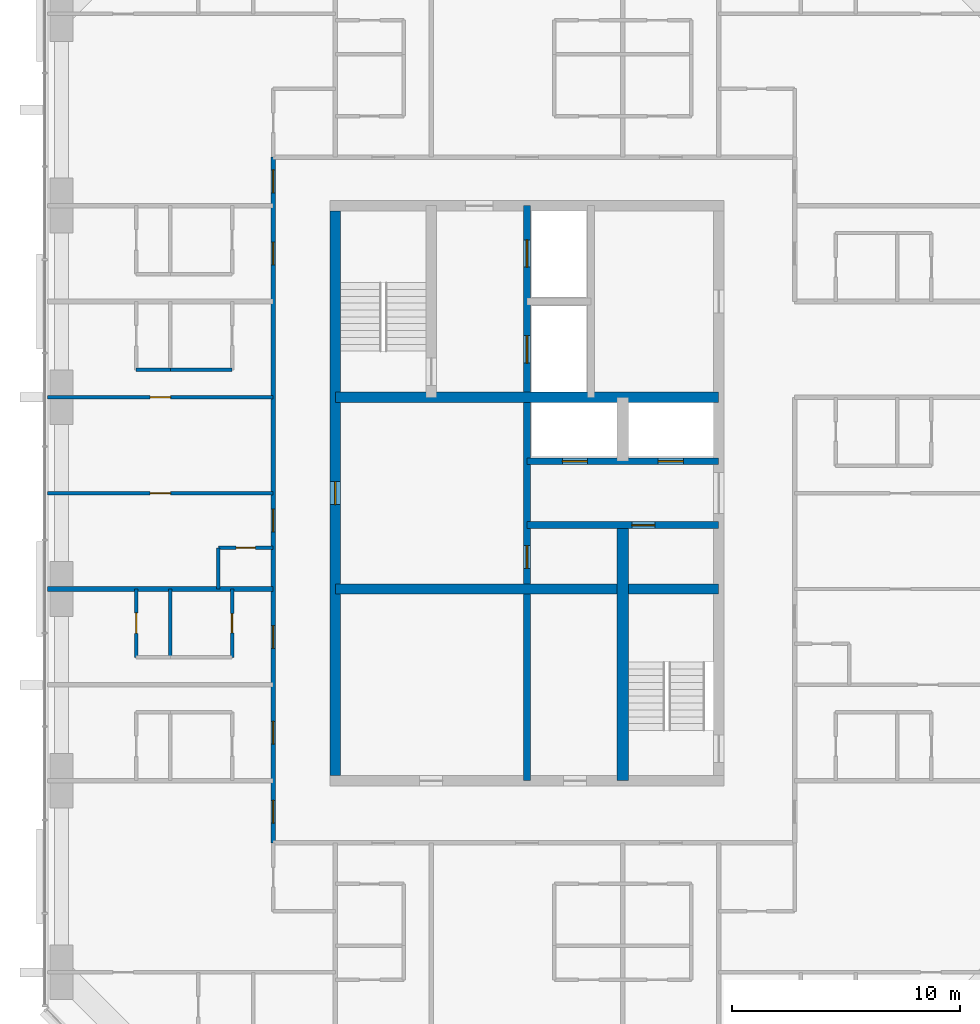
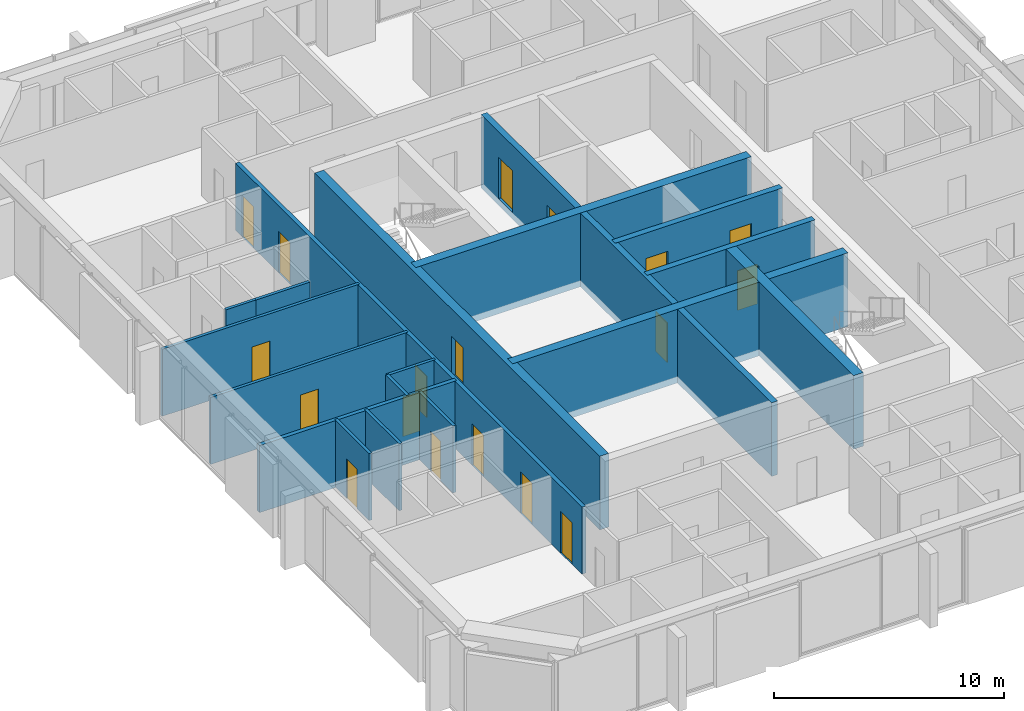
# One storey, part 8 of 12: 18 doors, 18 walls, 18 openings.
"""IFC4 building model written with IfcOpenShell, lengths in metres."""

from ifc_helpers import new_model, si_unit, direction, frame, frame_2d, origin, place, context, subcontext, project, spatial, rectangle, extrude, material, layer, layer_set, type_object, element, fill, save


model = new_model("IFC4")

# Units and contexts
model_context = context("Model", 3, precision=1e-05, world=origin(), true_north=direction((0.0, 1.0)))
body_context = subcontext(model_context, "Body", "Model", "MODEL_VIEW")
ifc_project = project(units=[si_unit("LENGTHUNIT", "METRE"), si_unit("AREAUNIT", "SQUARE_METRE"), si_unit("VOLUMEUNIT", "CUBIC_METRE"), si_unit("PLANEANGLEUNIT", "RADIAN"), si_unit("MASSUNIT", "GRAM", prefix="KILO")], contexts=[model_context])

# Site, building, storey
site_placement = place(None, origin())
site = spatial("IfcSite", under=ifc_project, at=site_placement, CompositionType="ELEMENT")
building_placement = place(site_placement, origin())
building = spatial("IfcBuilding", under=site, at=building_placement, Name="Dunama Terrace Hotel", CompositionType="ELEMENT")
storey_placement = place(building_placement, frame((0.0, 0.0, 272.39990234375)))
storey = spatial("IfcBuildingStorey", under=building, at=storey_placement, Name="L70", CompositionType="ELEMENT", Elevation=272.39990234375)

# Wall
ifc_material_1 = material(Name="Gypsum board partition", Category="masonry")
ifc_layer_1 = layer(ifc_material_1, 0.14990234375)
ifc_layer_set_1 = layer_set([ifc_layer_1], Name="Bathroom partition 150")
wall_type_1 = type_object("IfcWallType", Name="Bathroom partition 150", PredefinedType="PARTITIONING", material=ifc_layer_set_1)
wall_1_placement = place(storey_placement, frame((20.074951171875, 25.199951171875, 0.0), z_axis=(0.0, 0.0, 1.0), x_axis=(0.0, 1.0, 0.0)))
element("IfcWall", 1, at=wall_1_placement, inside=storey, type_object=wall_type_1, Name="Bathroom partition 150 L70", PredefinedType="PARTITIONING", context=body_context, shape_type="SweptSolid", body=[
    extrude(rectangle(XDim=1.800048828125, YDim=0.14990234375, at=frame_2d((0.89990234375, 0.0))), origin(), (0.0, 0.0, 1.0), 3.550048828125),
])

# Wall, opening, door
wall_2_placement = place(storey_placement, frame((20.675048828125, 22.199951171875, 0.0), z_axis=(0.0, 0.0, 1.0), x_axis=(0.0, 1.0, 0.0)))
wall_2 = element("IfcWall", 2, at=wall_2_placement, inside=storey, type_object=wall_type_1, Name="Bathroom partition 150 L70", PredefinedType="PARTITIONING", context=body_context, shape_type="SweptSolid", body=[
    extrude(rectangle(XDim=3.0, YDim=0.14990234375, at=frame_2d((1.5, 0.0))), origin(), (0.0, 0.0, 1.0), 3.550048828125),
])
opening_1_placement = place(wall_2_placement, frame((1.074951171875, 0.0, 0.0)))
opening_1 = element("IfcOpeningElement", 3, at=opening_1_placement, cuts=wall_2, Name="Opening L68-70-041", PredefinedType="OPENING", context=body_context, shape_type="SweptSolid", body=[
    extrude(rectangle(XDim=0.85009765625, YDim=2.10009765625, at=frame_2d((0.425048828125, 1.050048828125))), frame((0.0, 0.0849609375, 0.0), z_axis=(0.0, -1.0, 0.0), x_axis=(1.0, 0.0, 0.0)), (0.0, 0.0, 1.0), 0.169921875),
])
ifc_material_2 = material(Name="Timber door with steel frame", Category="steel")
door_type_1 = type_object("IfcDoorType", Name="Bathroom door 850", OperationType="SINGLE_SWING_LEFT", PredefinedType="DOOR", material=ifc_material_2)
door_1_placement = place(opening_1_placement, origin())
door_1 = element("IfcDoor", 4, at=door_1_placement, inside=storey, type_object=door_type_1, Name="Door to en-suite bathroom L68-70-041, type D2", OperationType="SINGLE_SWING_RIGHT", OverallHeight=2.10009765625, OverallWidth=0.85009765625, PredefinedType="DOOR", context=body_context, shape_type="SweptSolid", body=[
    extrude(rectangle(XDim=0.85009765625, YDim=2.10009765625, at=frame_2d((0.425048828125, 1.050048828125))), frame((0.0, 0.02490234375, 0.0), z_axis=(0.0, -1.0, 0.0), x_axis=(1.0, 0.0, 0.0)), (0.0, 0.0, 1.0), 0.050048828125),
])
fill(opening_1, door_1)

wall_3_placement = place(storey_placement, frame((20.074951171875, 27.0, 0.0), z_axis=(0.0, 0.0, 1.0), x_axis=(1.0, 0.0, 0.0)))
wall_3 = element("IfcWall", 5, at=wall_3_placement, inside=storey, type_object=wall_type_1, Name="Bathroom partition 150 L70", PredefinedType="PARTITIONING", context=body_context, shape_type="SweptSolid", body=[
    extrude(rectangle(XDim=2.400146484375, YDim=0.14990234375, at=frame_2d((1.2001953125, 0.0))), origin(), (0.0, 0.0, 1.0), 3.550048828125),
])
opening_2_placement = place(wall_3_placement, frame((0.77490234375, 0.0, 0.0)))
opening_2 = element("IfcOpeningElement", 6, at=opening_2_placement, cuts=wall_3, Name="Opening L68-70-044", PredefinedType="OPENING", context=body_context, shape_type="SweptSolid", body=[
    extrude(rectangle(XDim=0.85009765625, YDim=2.10009765625, at=frame_2d((0.425048828125, 1.050048828125))), frame((0.0, 0.0849609375, 0.0), z_axis=(0.0, -1.0, 0.0), x_axis=(1.0, 0.0, 0.0)), (0.0, 0.0, 1.0), 0.169921875),
])
door_2_placement = place(opening_2_placement, frame((0.85009765625, 0.0, 0.0), z_axis=(0.0, 0.0, 1.0), x_axis=(-1.0, 0.0, 0.0)))
door_2 = element("IfcDoor", 7, at=door_2_placement, inside=storey, type_object=door_type_1, Name="Door to powder room L68-70-044, type D2", OperationType="SINGLE_SWING_LEFT", OverallHeight=2.10009765625, OverallWidth=0.85009765625, PredefinedType="DOOR", context=body_context, shape_type="SweptSolid", body=[
    extrude(rectangle(XDim=0.85009765625, YDim=2.10009765625, at=frame_2d((0.425048828125, 1.050048828125))), frame((0.0, 0.025146484375, 0.0), z_axis=(0.0, -1.0, 0.0), x_axis=(1.0, 0.0, 0.0)), (0.0, 0.0, 1.0), 0.050048828125),
])
fill(opening_2, door_2)

# Wall
wall_4_placement = place(storey_placement, frame((17.97509765625, 34.800048828125, 0.0), z_axis=(0.0, 0.0, 1.0), x_axis=(1.0, 0.0, 0.0)))
element("IfcWall", 8, at=wall_4_placement, inside=storey, type_object=wall_type_1, Name="Bathroom partition 150 L70", PredefinedType="PARTITIONING", context=body_context, shape_type="SweptSolid", body=[
    extrude(rectangle(XDim=2.699951171875, YDim=0.14990234375, at=frame_2d((1.35009765625, 0.0))), origin(), (0.0, 0.0, 1.0), 3.550048828125),
])

# Wall, openings, doors
ifc_material_3 = material(Name="Concrete C50/60", Category="concrete")
ifc_layer_2 = layer(ifc_material_3, 0.300048828125)
ifc_layer_set_2 = layer_set([ifc_layer_2], Name="Core inner wall 300")
wall_type_2 = type_object("IfcWallType", Name="Core inner wall 300", PredefinedType="SHEAR", material=ifc_layer_set_2)
wall_5_placement = place(storey_placement, frame((33.60009765625, 16.800048828125, -0.349853515625), z_axis=(0.0, 0.0, 1.0), x_axis=(0.0, 1.0, 0.0)))
wall_5 = element("IfcWall", 9, at=wall_5_placement, inside=storey, type_object=wall_type_2, Name="Core inner wall 300 L70", PredefinedType="SHEAR", context=body_context, shape_type="SweptSolid", body=[
    extrude(rectangle(XDim=25.199951171875, YDim=0.300048828125, at=frame_2d((12.60009765625, 0.0))), origin(), (0.0, 0.0, 1.0), 3.89990234375),
])
opening_3_placement = place(wall_5_placement, frame((22.5, 0.0, 0.35009765625)))
opening_3 = element("IfcOpeningElement", 10, at=opening_3_placement, cuts=wall_5, Name="Opening L68-70-005", PredefinedType="OPENING", context=body_context, shape_type="SweptSolid", body=[
    extrude(rectangle(XDim=1.199951171875, YDim=2.199951171875, at=frame_2d((0.60009765625, 1.10009765625))), frame((0.0, 0.159912109375, 0.0), z_axis=(0.0, -1.0, 0.0), x_axis=(1.0, 0.0, 0.0)), (0.0, 0.0, 1.0), 0.320068359375),
])
opening_4_placement = place(wall_5_placement, frame((18.300048828125, 0.0, 0.35009765625)))
opening_4 = element("IfcOpeningElement", 11, at=opening_4_placement, cuts=wall_5, Name="Opening L68-70-006", PredefinedType="OPENING", context=body_context, shape_type="SweptSolid", body=[
    extrude(rectangle(XDim=1.199951171875, YDim=2.199951171875, at=frame_2d((0.60009765625, 1.10009765625))), frame((0.0, 0.159912109375, 0.0), z_axis=(0.0, -1.0, 0.0), x_axis=(1.0, 0.0, 0.0)), (0.0, 0.0, 1.0), 0.320068359375),
])
opening_5_placement = place(wall_5_placement, frame((9.300048828125, 0.0, 0.35009765625)))
opening_5 = element("IfcOpeningElement", 12, at=opening_5_placement, cuts=wall_5, Name="Opening L68-70-073", PredefinedType="OPENING", context=body_context, shape_type="SweptSolid", body=[
    extrude(rectangle(XDim=1.0, YDim=2.10009765625, at=frame_2d((0.5, 1.050048828125))), frame((0.0, 0.159912109375, 0.0), z_axis=(0.0, -1.0, 0.0), x_axis=(1.0, 0.0, 0.0)), (0.0, 0.0, 1.0), 0.320068359375),
])
ifc_material_4 = material(Name="Stainless steel lift door", Category="steel")
door_type_2 = type_object("IfcDoorType", Name="Firefighting lift landing door 1200", OperationType="DOUBLE_DOOR_SLIDING", PredefinedType="DOOR", material=ifc_material_4)
door_3_placement = place(opening_3_placement, origin())
door_3 = element("IfcDoor", 13, at=door_3_placement, inside=storey, type_object=door_type_2, Name="Landing door FL1 L68-70-005, type LD2", OperationType="DOUBLE_DOOR_SLIDING", OverallHeight=2.199951171875, OverallWidth=1.199951171875, PredefinedType="DOOR", context=body_context, shape_type="SweptSolid", body=[
    extrude(rectangle(XDim=1.199951171875, YDim=2.199951171875, at=frame_2d((0.60009765625, 1.10009765625))), frame((0.0, 0.02490234375, 0.0), z_axis=(0.0, -1.0, 0.0), x_axis=(1.0, 0.0, 0.0)), (0.0, 0.0, 1.0), 0.050048828125),
])
fill(opening_3, door_3)
door_4_placement = place(opening_4_placement, origin())
door_4 = element("IfcDoor", 14, at=door_4_placement, inside=storey, type_object=door_type_2, Name="Landing door FL2 L68-70-006, type LD2", OperationType="DOUBLE_DOOR_SLIDING", OverallHeight=2.199951171875, OverallWidth=1.199951171875, PredefinedType="DOOR", context=body_context, shape_type="SweptSolid", body=[
    extrude(rectangle(XDim=1.199951171875, YDim=2.199951171875, at=frame_2d((0.60009765625, 1.10009765625))), frame((0.0, 0.02490234375, 0.0), z_axis=(0.0, -1.0, 0.0), x_axis=(1.0, 0.0, 0.0)), (0.0, 0.0, 1.0), 0.050048828125),
])
fill(opening_4, door_4)
ifc_material_5 = material(Name="Timber door with steel frame", Category="steel")
door_type_3 = type_object("IfcDoorType", Name="Service door 1000", OperationType="SINGLE_SWING_LEFT", PredefinedType="DOOR", material=ifc_material_5)
door_5_placement = place(opening_5_placement, frame((1.0, 0.0, 0.0), z_axis=(0.0, 0.0, 1.0), x_axis=(-1.0, 0.0, 0.0)))
door_5 = element("IfcDoor", 15, at=door_5_placement, inside=storey, type_object=door_type_3, Name="Door to service riser L68-70-073, type D7", OperationType="SINGLE_SWING_RIGHT", OverallHeight=2.10009765625, OverallWidth=1.0, PredefinedType="DOOR", context=body_context, shape_type="SweptSolid", body=[
    extrude(rectangle(XDim=1.0, YDim=2.10009765625, at=frame_2d((0.5, 1.050048828125))), frame((0.0, 0.025146484375, 0.0), z_axis=(0.0, -1.0, 0.0), x_axis=(1.0, 0.0, 0.0)), (0.0, 0.0, 1.0), 0.050048828125),
])
fill(opening_5, door_5)

# Wall, opening, door
wall_6_placement = place(storey_placement, frame((33.60009765625, 28.0, -0.349853515625), z_axis=(0.0, 0.0, 1.0), x_axis=(1.0, 0.0, 0.0)))
wall_6 = element("IfcWall", 16, at=wall_6_placement, inside=storey, type_object=wall_type_2, Name="Core inner wall 300 L70", PredefinedType="SHEAR", context=body_context, shape_type="SweptSolid", body=[
    extrude(rectangle(XDim=8.39990234375, YDim=0.300048828125, at=frame_2d((4.199951171875, 0.0))), origin(), (0.0, 0.0, 1.0), 3.89990234375),
])
opening_6_placement = place(wall_6_placement, frame((4.60009765625, 0.0, 0.35009765625)))
opening_6 = element("IfcOpeningElement", 17, at=opening_6_placement, cuts=wall_6, Name="Opening L68-70-074", PredefinedType="OPENING", context=body_context, shape_type="SweptSolid", body=[
    extrude(rectangle(XDim=1.0, YDim=2.10009765625, at=frame_2d((0.5, 1.050048828125))), frame((0.0, 0.159912109375, 0.0), z_axis=(0.0, -1.0, 0.0), x_axis=(1.0, 0.0, 0.0)), (0.0, 0.0, 1.0), 0.320068359375),
])
door_6_placement = place(opening_6_placement, frame((1.0, 0.0, 0.0), z_axis=(0.0, 0.0, 1.0), x_axis=(-1.0, 0.0, 0.0)))
door_6 = element("IfcDoor", 18, at=door_6_placement, inside=storey, type_object=door_type_3, Name="Door to guest pantry L68-70-074, type D7", OperationType="SINGLE_SWING_RIGHT", OverallHeight=2.10009765625, OverallWidth=1.0, PredefinedType="DOOR", context=body_context, shape_type="SweptSolid", body=[
    extrude(rectangle(XDim=1.0, YDim=2.10009765625, at=frame_2d((0.5, 1.050048828125))), frame((0.0, 0.025146484375, 0.0), z_axis=(0.0, -1.0, 0.0), x_axis=(1.0, 0.0, 0.0)), (0.0, 0.0, 1.0), 0.050048828125),
])
fill(opening_6, door_6)

# Wall, openings, doors
wall_7_placement = place(storey_placement, frame((33.60009765625, 30.800048828125, -0.349853515625), z_axis=(0.0, 0.0, 1.0), x_axis=(1.0, 0.0, 0.0)))
wall_7 = element("IfcWall", 19, at=wall_7_placement, inside=storey, type_object=wall_type_2, Name="Core inner wall 300 L70", PredefinedType="SHEAR", context=body_context, shape_type="SweptSolid", body=[
    extrude(rectangle(XDim=8.39990234375, YDim=0.300048828125, at=frame_2d((4.199951171875, 0.0))), origin(), (0.0, 0.0, 1.0), 3.89990234375),
])
opening_7_placement = place(wall_7_placement, frame((1.550048828125, 0.0, 0.35009765625)))
opening_7 = element("IfcOpeningElement", 20, at=opening_7_placement, cuts=wall_7, Name="Opening L68-70-003", PredefinedType="OPENING", context=body_context, shape_type="SweptSolid", body=[
    extrude(rectangle(XDim=1.10009765625, YDim=2.199951171875, at=frame_2d((0.550048828125, 1.10009765625))), frame((0.0, 0.159912109375, 0.0), z_axis=(0.0, -1.0, 0.0), x_axis=(1.0, 0.0, 0.0)), (0.0, 0.0, 1.0), 0.320068359375),
])
opening_8_placement = place(wall_7_placement, frame((5.75, 0.0, 0.35009765625)))
opening_8 = element("IfcOpeningElement", 21, at=opening_8_placement, cuts=wall_7, Name="Opening L68-70-004", PredefinedType="OPENING", context=body_context, shape_type="SweptSolid", body=[
    extrude(rectangle(XDim=1.10009765625, YDim=2.199951171875, at=frame_2d((0.550048828125, 1.10009765625))), frame((0.0, 0.159912109375, 0.0), z_axis=(0.0, -1.0, 0.0), x_axis=(1.0, 0.0, 0.0)), (0.0, 0.0, 1.0), 0.320068359375),
])
ifc_material_6 = material(Name="Stainless steel lift door", Category="steel")
door_type_4 = type_object("IfcDoorType", Name="Lift landing door 1100", OperationType="DOUBLE_DOOR_SLIDING", PredefinedType="DOOR", material=ifc_material_6)
door_7_placement = place(opening_7_placement, origin())
door_7 = element("IfcDoor", 22, at=door_7_placement, inside=storey, type_object=door_type_4, Name="Landing door PD1 L68-70-003, type LD1", OperationType="DOUBLE_DOOR_SLIDING", OverallHeight=2.199951171875, OverallWidth=1.10009765625, PredefinedType="DOOR", context=body_context, shape_type="SweptSolid", body=[
    extrude(rectangle(XDim=1.10009765625, YDim=2.199951171875, at=frame_2d((0.550048828125, 1.10009765625))), frame((0.0, 0.02490234375, 0.0), z_axis=(0.0, -1.0, 0.0), x_axis=(1.0, 0.0, 0.0)), (0.0, 0.0, 1.0), 0.050048828125),
])
fill(opening_7, door_7)
door_8_placement = place(opening_8_placement, origin())
door_8 = element("IfcDoor", 23, at=door_8_placement, inside=storey, type_object=door_type_4, Name="Landing door PD2 L68-70-004, type LD1", OperationType="DOUBLE_DOOR_SLIDING", OverallHeight=2.199951171875, OverallWidth=1.10009765625, PredefinedType="DOOR", context=body_context, shape_type="SweptSolid", body=[
    extrude(rectangle(XDim=1.10009765625, YDim=2.199951171875, at=frame_2d((0.550048828125, 1.10009765625))), frame((0.0, 0.02490234375, 0.0), z_axis=(0.0, -1.0, 0.0), x_axis=(1.0, 0.0, 0.0)), (0.0, 0.0, 1.0), 0.050048828125),
])
fill(opening_8, door_8)

# Walls
ifc_material_7 = material(Name="Concrete C50/60", Category="concrete")
ifc_layer_3 = layer(ifc_material_7, 0.449951171875)
ifc_layer_set_3 = layer_set([ifc_layer_3], Name="Core inner wall 450")
wall_type_3 = type_object("IfcWallType", Name="Core inner wall 450", PredefinedType="SHEAR", material=ifc_layer_set_3)
for number, where, z_axis, x_axis, name in (
    (24, (25.199951171875, 25.199951171875, -0.349853515625), (0.0, 0.0, 1.0), (1.0, 0.0, 0.0), "Core inner wall 450 L70"),
    (25, (25.199951171875, 33.60009765625, -0.349853515625), (0.0, 0.0, 1.0), (1.0, 0.0, 0.0), "Core inner wall 450 L70"),
):
    element("IfcWall", number, at=place(storey_placement, frame(where, z_axis=z_axis, x_axis=x_axis)), inside=storey, type_object=wall_type_3, Name=name, PredefinedType="SHEAR", context=body_context, shape_type="SweptSolid", body=[
        extrude(rectangle(XDim=16.800048828125, YDim=0.449951171875, at=frame_2d((8.39990234375, 0.0))), origin(), (0.0, 0.0, 1.0), 3.89990234375),
    ])
ifc_material_8 = material(Name="Concrete C50/60", Category="concrete")
ifc_layer_4 = layer(ifc_material_8, 0.5)
ifc_layer_set_4 = layer_set([ifc_layer_4], Name="Core inner wall 500")
wall_type_4 = type_object("IfcWallType", Name="Core inner wall 500", PredefinedType="SHEAR", material=ifc_layer_set_4)
wall_8_placement = place(storey_placement, frame((37.800048828125, 16.800048828125, -0.349853515625), z_axis=(0.0, 0.0, 1.0), x_axis=(0.0, 1.0, 0.0)))
element("IfcWall", 26, at=wall_8_placement, inside=storey, type_object=wall_type_4, Name="Core inner wall 500 L70", PredefinedType="SHEAR", context=body_context, shape_type="SweptSolid", body=[
    extrude(rectangle(XDim=11.199951171875, YDim=0.5, at=frame_2d((5.60009765625, 0.0))), origin(), (0.0, 0.0, 1.0), 3.89990234375),
])

# Wall, opening, door
ifc_material_9 = material(Name="Concrete C50/60", Category="concrete")
ifc_layer_5 = layer(ifc_material_9, 0.449951171875)
ifc_layer_set_5 = layer_set([ifc_layer_5], Name="Core wall 450")
wall_type_5 = type_object("IfcWallType", Name="Core wall 450", PredefinedType="SHEAR", material=ifc_layer_set_5)
wall_9_placement = place(storey_placement, frame((25.199951171875, 41.77490234375, -0.349853515625), z_axis=(0.0, 0.0, 1.0), x_axis=(0.0, -1.0, 0.0)))
wall_9 = element("IfcWall", 27, at=wall_9_placement, inside=storey, type_object=wall_type_5, Name="Core wall west L70", PredefinedType="SHEAR", context=body_context, shape_type="SweptSolid", body=[
    extrude(rectangle(XDim=24.75, YDim=0.449951171875, at=frame_2d((12.375, 0.0))), origin(), (0.0, 0.0, 1.0), 3.89990234375),
])
opening_9_placement = place(wall_9_placement, frame((11.875, 0.0, 0.35009765625)))
opening_9 = element("IfcOpeningElement", 28, at=opening_9_placement, cuts=wall_9, Name="Opening L68-70-072", PredefinedType="OPENING", context=body_context, shape_type="SweptSolid", body=[
    extrude(rectangle(XDim=1.0, YDim=2.10009765625, at=frame_2d((0.5, 1.050048828125))), frame((0.0, 0.23486328125, 0.0), z_axis=(0.0, -1.0, 0.0), x_axis=(1.0, 0.0, 0.0)), (0.0, 0.0, 1.0), 0.469970703125),
])
door_9_placement = place(opening_9_placement, origin())
door_9 = element("IfcDoor", 29, at=door_9_placement, inside=storey, type_object=door_type_3, Name="Door to riser room L68-70-072, type D7", OperationType="SINGLE_SWING_LEFT", OverallHeight=2.10009765625, OverallWidth=1.0, PredefinedType="DOOR", context=body_context, shape_type="SweptSolid", body=[
    extrude(rectangle(XDim=1.0, YDim=2.10009765625, at=frame_2d((0.5, 1.050048828125))), frame((0.0, 0.02490234375, 0.0), z_axis=(0.0, -1.0, 0.0), x_axis=(1.0, 0.0, 0.0)), (0.0, 0.0, 1.0), 0.050048828125),
])
fill(opening_9, door_9)

# Wall, openings, doors
ifc_material_10 = material(Name="Concrete blockwork", Category="masonry")
ifc_layer_6 = layer(ifc_material_10, 0.199951171875)
ifc_layer_set_6 = layer_set([ifc_layer_6], Name="Corridor partition 200")
wall_type_6 = type_object("IfcWallType", Name="Corridor partition 200", PredefinedType="PARTITIONING", material=ifc_layer_set_6)
wall_10_placement = place(storey_placement, frame((22.47509765625, 14.074951171875, 0.0), z_axis=(0.0, 0.0, 1.0), x_axis=(0.0, 1.0, 0.0)))
wall_10 = element("IfcWall", 30, at=wall_10_placement, inside=storey, type_object=wall_type_6, Name="Corridor partition 200 L70", PredefinedType="PARTITIONING", context=body_context, shape_type="SweptSolid", body=[
    extrude(rectangle(XDim=30.050048828125, YDim=0.199951171875, at=frame_2d((15.02490234375, 0.0))), origin(), (0.0, 0.0, 1.0), 3.550048828125),
])
opening_10_placement = place(wall_10_placement, frame((4.324951171875, 0.0, 0.0)))
opening_10 = element("IfcOpeningElement", 31, at=opening_10_placement, cuts=wall_10, Name="Opening L68-70-037", PredefinedType="OPENING", context=body_context, shape_type="SweptSolid", body=[
    extrude(rectangle(XDim=1.0, YDim=2.199951171875, at=frame_2d((0.5, 1.10009765625))), frame((0.0, 0.10986328125, 0.0), z_axis=(0.0, -1.0, 0.0), x_axis=(1.0, 0.0, 0.0)), (0.0, 0.0, 1.0), 0.219970703125),
])
opening_11_placement = place(wall_10_placement, frame((8.52490234375, 0.0, 0.0)))
opening_11 = element("IfcOpeningElement", 32, at=opening_11_placement, cuts=wall_10, Name="Opening L68-70-040", PredefinedType="OPENING", context=body_context, shape_type="SweptSolid", body=[
    extrude(rectangle(XDim=1.0, YDim=2.199951171875, at=frame_2d((0.5, 1.10009765625))), frame((0.0, 0.10986328125, 0.0), z_axis=(0.0, -1.0, 0.0), x_axis=(1.0, 0.0, 0.0)), (0.0, 0.0, 1.0), 0.219970703125),
])
opening_12_placement = place(wall_10_placement, frame((13.625, 0.0, 0.0)))
opening_12 = element("IfcOpeningElement", 33, at=opening_12_placement, cuts=wall_10, Name="Opening L68-70-043", PredefinedType="OPENING", context=body_context, shape_type="SweptSolid", body=[
    extrude(rectangle(XDim=1.0, YDim=2.199951171875, at=frame_2d((0.5, 1.10009765625))), frame((0.0, 0.10986328125, 0.0), z_axis=(0.0, -1.0, 0.0), x_axis=(1.0, 0.0, 0.0)), (0.0, 0.0, 1.0), 0.219970703125),
])
opening_13_placement = place(wall_10_placement, frame((25.324951171875, 0.0, 0.0)))
opening_13 = element("IfcOpeningElement", 34, at=opening_13_placement, cuts=wall_10, Name="Opening L68-70-049", PredefinedType="OPENING", context=body_context, shape_type="SweptSolid", body=[
    extrude(rectangle(XDim=1.0, YDim=2.199951171875, at=frame_2d((0.5, 1.10009765625))), frame((0.0, 0.10986328125, 0.0), z_axis=(0.0, -1.0, 0.0), x_axis=(1.0, 0.0, 0.0)), (0.0, 0.0, 1.0), 0.219970703125),
])
opening_14_placement = place(wall_10_placement, frame((0.863037109375, 0.0, 0.0)))
opening_14 = element("IfcOpeningElement", 35, at=opening_14_placement, cuts=wall_10, Name="Opening L68-70-052", PredefinedType="OPENING", context=body_context, shape_type="SweptSolid", body=[
    extrude(rectangle(XDim=1.0, YDim=2.199951171875, at=frame_2d((0.5, 1.10009765625))), frame((0.0, 0.10986328125, 0.0), z_axis=(0.0, -1.0, 0.0), x_axis=(1.0, 0.0, 0.0)), (0.0, 0.0, 1.0), 0.219970703125),
])
opening_15_placement = place(wall_10_placement, frame((28.487060546875, 0.0, 0.0)))
opening_15 = element("IfcOpeningElement", 36, at=opening_15_placement, cuts=wall_10, Name="Opening L68-70-067", PredefinedType="OPENING", context=body_context, shape_type="SweptSolid", body=[
    extrude(rectangle(XDim=1.0, YDim=2.199951171875, at=frame_2d((0.5, 1.10009765625))), frame((0.0, 0.10986328125, 0.0), z_axis=(0.0, -1.0, 0.0), x_axis=(1.0, 0.0, 0.0)), (0.0, 0.0, 1.0), 0.219970703125),
])
ifc_material_11 = material(Name="Timber door with steel frame", Category="steel")
door_type_5 = type_object("IfcDoorType", Name="Guest room door 1000", OperationType="SINGLE_SWING_LEFT", PredefinedType="DOOR", material=ifc_material_11)
door_10_placement = place(opening_10_placement, origin())
door_10 = element("IfcDoor", 37, at=door_10_placement, inside=storey, type_object=door_type_5, Name="Door to studio suite L68-70-037, type D1", OperationType="SINGLE_SWING_LEFT", OverallHeight=2.199951171875, OverallWidth=1.0, PredefinedType="DOOR", context=body_context, shape_type="SweptSolid", body=[
    extrude(rectangle(XDim=1.0, YDim=2.199951171875, at=frame_2d((0.5, 1.10009765625))), frame((0.0, 0.02490234375, 0.0), z_axis=(0.0, -1.0, 0.0), x_axis=(1.0, 0.0, 0.0)), (0.0, 0.0, 1.0), 0.050048828125),
])
fill(opening_10, door_10)
door_11_placement = place(opening_11_placement, origin())
door_11 = element("IfcDoor", 38, at=door_11_placement, inside=storey, type_object=door_type_5, Name="Door to studio suite L68-70-040, type D1", OperationType="SINGLE_SWING_LEFT", OverallHeight=2.199951171875, OverallWidth=1.0, PredefinedType="DOOR", context=body_context, shape_type="SweptSolid", body=[
    extrude(rectangle(XDim=1.0, YDim=2.199951171875, at=frame_2d((0.5, 1.10009765625))), frame((0.0, 0.02490234375, 0.0), z_axis=(0.0, -1.0, 0.0), x_axis=(1.0, 0.0, 0.0)), (0.0, 0.0, 1.0), 0.050048828125),
])
fill(opening_11, door_11)
door_12_placement = place(opening_12_placement, origin())
door_12 = element("IfcDoor", 39, at=door_12_placement, inside=storey, type_object=door_type_5, Name="Door to ambassador suite living room L68-70-043, type D1", OperationType="SINGLE_SWING_LEFT", OverallHeight=2.199951171875, OverallWidth=1.0, PredefinedType="DOOR", context=body_context, shape_type="SweptSolid", body=[
    extrude(rectangle(XDim=1.0, YDim=2.199951171875, at=frame_2d((0.5, 1.10009765625))), frame((0.0, 0.02490234375, 0.0), z_axis=(0.0, -1.0, 0.0), x_axis=(1.0, 0.0, 0.0)), (0.0, 0.0, 1.0), 0.050048828125),
])
fill(opening_12, door_12)
door_13_placement = place(opening_13_placement, origin())
door_13 = element("IfcDoor", 40, at=door_13_placement, inside=storey, type_object=door_type_5, Name="Door to studio suite L68-70-049, type D1", OperationType="SINGLE_SWING_LEFT", OverallHeight=2.199951171875, OverallWidth=1.0, PredefinedType="DOOR", context=body_context, shape_type="SweptSolid", body=[
    extrude(rectangle(XDim=1.0, YDim=2.199951171875, at=frame_2d((0.5, 1.10009765625))), frame((0.0, 0.02490234375, 0.0), z_axis=(0.0, -1.0, 0.0), x_axis=(1.0, 0.0, 0.0)), (0.0, 0.0, 1.0), 0.050048828125),
])
fill(opening_13, door_13)
door_14_placement = place(opening_14_placement, origin())
door_14 = element("IfcDoor", 41, at=door_14_placement, inside=storey, type_object=door_type_5, Name="Door to grand corner suite living room L68-70-052, type D1", OperationType="SINGLE_SWING_RIGHT", OverallHeight=2.199951171875, OverallWidth=1.0, PredefinedType="DOOR", context=body_context, shape_type="SweptSolid", body=[
    extrude(rectangle(XDim=1.0, YDim=2.199951171875, at=frame_2d((0.5, 1.10009765625))), frame((0.0, 0.02490234375, 0.0), z_axis=(0.0, -1.0, 0.0), x_axis=(1.0, 0.0, 0.0)), (0.0, 0.0, 1.0), 0.050048828125),
])
fill(opening_14, door_14)
door_15_placement = place(opening_15_placement, origin())
door_15 = element("IfcDoor", 42, at=door_15_placement, inside=storey, type_object=door_type_5, Name="Door to grand corner suite living room L68-70-067, type D1", OperationType="SINGLE_SWING_LEFT", OverallHeight=2.199951171875, OverallWidth=1.0, PredefinedType="DOOR", context=body_context, shape_type="SweptSolid", body=[
    extrude(rectangle(XDim=1.0, YDim=2.199951171875, at=frame_2d((0.5, 1.10009765625))), frame((0.0, 0.02490234375, 0.0), z_axis=(0.0, -1.0, 0.0), x_axis=(1.0, 0.0, 0.0)), (0.0, 0.0, 1.0), 0.050048828125),
])
fill(opening_15, door_15)

# Wall
ifc_material_12 = material(Name="Concrete blockwork", Category="masonry")
ifc_layer_7 = layer(ifc_material_12, 0.199951171875)
ifc_layer_set_7 = layer_set([ifc_layer_7], Name="Party wall 200")
wall_type_7 = type_object("IfcWallType", Name="Party wall 200", PredefinedType="PARTITIONING", material=ifc_layer_set_7)
wall_11_placement = place(storey_placement, frame((12.58203125, 25.199951171875, 0.0), z_axis=(0.0, 0.0, 1.0), x_axis=(1.0, 0.0, 0.0)))
element("IfcWall", 43, at=wall_11_placement, inside=storey, type_object=wall_type_7, Name="Party wall 200 L70", PredefinedType="PARTITIONING", context=body_context, shape_type="SweptSolid", body=[
    extrude(rectangle(XDim=9.89306640625, YDim=0.199951171875, at=frame_2d((4.946533203125, 0.0))), origin(), (0.0, 0.0, 1.0), 3.550048828125),
])

# Wall, opening, door
ifc_material_13 = material(Name="Gypsum board partition", Category="masonry")
ifc_layer_8 = layer(ifc_material_13, 0.14990234375)
ifc_layer_set_8 = layer_set([ifc_layer_8], Name="Room partition 150")
wall_type_8 = type_object("IfcWallType", Name="Room partition 150", PredefinedType="PARTITIONING", material=ifc_layer_set_8)
wall_12_placement = place(storey_placement, frame((16.47509765625, 22.199951171875, 0.0), z_axis=(0.0, 0.0, 1.0), x_axis=(0.0, 1.0, 0.0)))
wall_12 = element("IfcWall", 44, at=wall_12_placement, inside=storey, type_object=wall_type_8, Name="Room partition 150 L70", PredefinedType="PARTITIONING", context=body_context, shape_type="SweptSolid", body=[
    extrude(rectangle(XDim=3.0, YDim=0.14990234375, at=frame_2d((1.5, 0.0))), origin(), (0.0, 0.0, 1.0), 3.550048828125),
])
opening_16_placement = place(wall_12_placement, frame((1.050048828125, 0.0, 0.0)))
opening_16 = element("IfcOpeningElement", 45, at=opening_16_placement, cuts=wall_12, Name="Opening L68-70-042", PredefinedType="OPENING", context=body_context, shape_type="SweptSolid", body=[
    extrude(rectangle(XDim=0.89990234375, YDim=2.10009765625, at=frame_2d((0.449951171875, 1.050048828125))), frame((0.0, 0.0849609375, 0.0), z_axis=(0.0, -1.0, 0.0), x_axis=(1.0, 0.0, 0.0)), (0.0, 0.0, 1.0), 0.169921875),
])
ifc_material_14 = material(Name="Timber door with steel frame", Category="steel")
door_type_6 = type_object("IfcDoorType", Name="Suite internal door 900", OperationType="SINGLE_SWING_LEFT", PredefinedType="DOOR", material=ifc_material_14)
door_16_placement = place(opening_16_placement, frame((0.89990234375, 0.0, 0.0), z_axis=(0.0, 0.0, 1.0), x_axis=(-1.0, 0.0, 0.0)))
door_16 = element("IfcDoor", 46, at=door_16_placement, inside=storey, type_object=door_type_6, Name="Door to walk-in wardrobe L68-70-042, type D16", OperationType="SINGLE_SWING_RIGHT", OverallHeight=2.10009765625, OverallWidth=0.89990234375, PredefinedType="DOOR", context=body_context, shape_type="SweptSolid", body=[
    extrude(rectangle(XDim=0.89990234375, YDim=2.10009765625, at=frame_2d((0.449951171875, 1.050048828125))), frame((0.0, 0.025146484375, 0.0), z_axis=(0.0, -1.0, 0.0), x_axis=(1.0, 0.0, 0.0)), (0.0, 0.0, 1.0), 0.050048828125),
])
fill(opening_16, door_16)

# Wall
wall_13_placement = place(storey_placement, frame((17.97509765625, 22.199951171875, 0.0), z_axis=(0.0, 0.0, 1.0), x_axis=(0.0, 1.0, 0.0)))
element("IfcWall", 47, at=wall_13_placement, inside=storey, type_object=wall_type_8, Name="Room partition 150 L70", PredefinedType="PARTITIONING", context=body_context, shape_type="SweptSolid", body=[
    extrude(rectangle(XDim=3.0, YDim=0.14990234375, at=frame_2d((1.5, 0.0))), origin(), (0.0, 0.0, 1.0), 3.550048828125),
])

# Wall, opening, door
wall_14_placement = place(storey_placement, frame((12.58203125, 29.39990234375, 0.0), z_axis=(0.0, 0.0, 1.0), x_axis=(1.0, 0.0, 0.0)))
wall_14 = element("IfcWall", 48, at=wall_14_placement, inside=storey, type_object=wall_type_8, Name="Room partition 150 L70", PredefinedType="PARTITIONING", context=body_context, shape_type="SweptSolid", body=[
    extrude(rectangle(XDim=9.89306640625, YDim=0.14990234375, at=frame_2d((4.946533203125, 0.0))), origin(), (0.0, 0.0, 1.0), 3.550048828125),
])
opening_17_placement = place(wall_14_placement, frame((4.506103515625, 0.0, 0.0)))
opening_17 = element("IfcOpeningElement", 49, at=opening_17_placement, cuts=wall_14, Name="Opening L68-70-045", PredefinedType="OPENING", context=body_context, shape_type="SweptSolid", body=[
    extrude(rectangle(XDim=0.89990234375, YDim=2.10009765625, at=frame_2d((0.449951171875, 1.050048828125))), frame((0.0, 0.0849609375, 0.0), z_axis=(0.0, -1.0, 0.0), x_axis=(1.0, 0.0, 0.0)), (0.0, 0.0, 1.0), 0.169921875),
])
door_17_placement = place(opening_17_placement, frame((0.89990234375, 0.0, 0.0), z_axis=(0.0, 0.0, 1.0), x_axis=(-1.0, 0.0, 0.0)))
door_17 = element("IfcDoor", 50, at=door_17_placement, inside=storey, type_object=door_type_6, Name="Door to ambassador suite study L68-70-045, type D16", OperationType="SINGLE_SWING_LEFT", OverallHeight=2.10009765625, OverallWidth=0.89990234375, PredefinedType="DOOR", context=body_context, shape_type="SweptSolid", body=[
    extrude(rectangle(XDim=0.89990234375, YDim=2.10009765625, at=frame_2d((0.449951171875, 1.050048828125))), frame((0.0, 0.025146484375, 0.0), z_axis=(0.0, -1.0, 0.0), x_axis=(1.0, 0.0, 0.0)), (0.0, 0.0, 1.0), 0.050048828125),
])
fill(opening_17, door_17)

wall_15_placement = place(storey_placement, frame((12.58203125, 33.60009765625, 0.0), z_axis=(0.0, 0.0, 1.0), x_axis=(1.0, 0.0, 0.0)))
wall_15 = element("IfcWall", 51, at=wall_15_placement, inside=storey, type_object=wall_type_8, Name="Room partition 150 L70", PredefinedType="PARTITIONING", context=body_context, shape_type="SweptSolid", body=[
    extrude(rectangle(XDim=9.89306640625, YDim=0.14990234375, at=frame_2d((4.946533203125, 0.0))), origin(), (0.0, 0.0, 1.0), 3.550048828125),
])
opening_18_placement = place(wall_15_placement, frame((4.506103515625, 0.0, 0.0)))
opening_18 = element("IfcOpeningElement", 52, at=opening_18_placement, cuts=wall_15, Name="Opening L68-70-046", PredefinedType="OPENING", context=body_context, shape_type="SweptSolid", body=[
    extrude(rectangle(XDim=0.89990234375, YDim=2.10009765625, at=frame_2d((0.449951171875, 1.050048828125))), frame((0.0, 0.0849609375, 0.0), z_axis=(0.0, -1.0, 0.0), x_axis=(1.0, 0.0, 0.0)), (0.0, 0.0, 1.0), 0.169921875),
])
door_18_placement = place(opening_18_placement, origin())
door_18 = element("IfcDoor", 53, at=door_18_placement, inside=storey, type_object=door_type_6, Name="Door to ambassador suite bedroom L68-70-046, type D16", OperationType="SINGLE_SWING_LEFT", OverallHeight=2.10009765625, OverallWidth=0.89990234375, PredefinedType="DOOR", context=body_context, shape_type="SweptSolid", body=[
    extrude(rectangle(XDim=0.89990234375, YDim=2.10009765625, at=frame_2d((0.449951171875, 1.050048828125))), frame((0.0, 0.02490234375, 0.0), z_axis=(0.0, -1.0, 0.0), x_axis=(1.0, 0.0, 0.0)), (0.0, 0.0, 1.0), 0.050048828125),
])
fill(opening_18, door_18)

# Wall
wall_16_placement = place(storey_placement, frame((16.47509765625, 34.800048828125, 0.0), z_axis=(0.0, 0.0, 1.0), x_axis=(1.0, 0.0, 0.0)))
element("IfcWall", 54, at=wall_16_placement, inside=storey, type_object=wall_type_8, Name="Room partition 150 L70", PredefinedType="PARTITIONING", context=body_context, shape_type="SweptSolid", body=[
    extrude(rectangle(XDim=1.5, YDim=0.14990234375, at=frame_2d((0.75, 0.0))), origin(), (0.0, 0.0, 1.0), 3.550048828125),
])

save(model, "model.ifc")
